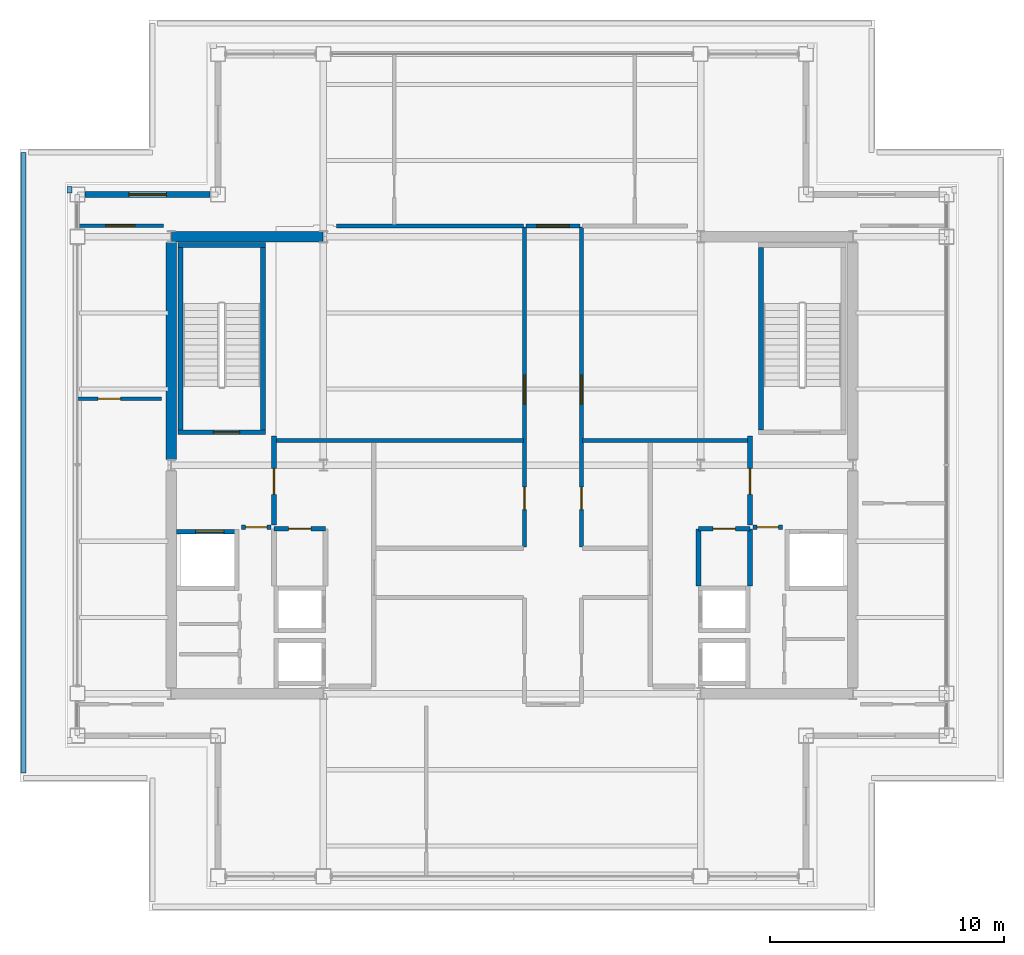
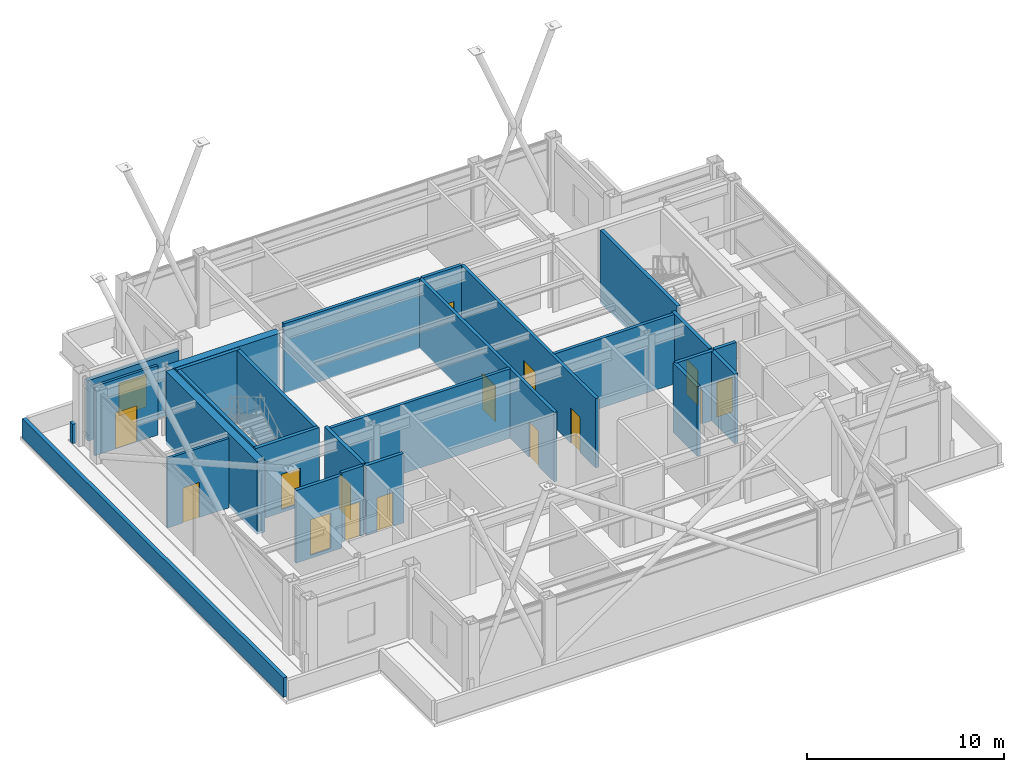
# One storey, part 16 of 19: 27 walls, 15 doors, 1 window, 16 openings.
"""IFC4 building model written with IfcOpenShell, lengths in metres."""

from ifc_helpers import new_model, si_unit, direction, frame, frame_2d, origin, place, context, subcontext, project, spatial, rectangle, extrude, material, layer, layer_set, type_object, element, fill, save


model = new_model("IFC4")

# Units and contexts
model_context = context("Model", 3, precision=1e-05, world=origin(), true_north=direction((0.0, 1.0)))
body_context = subcontext(model_context, "Body", "Model", "MODEL_VIEW")
ifc_project = project(units=[si_unit("LENGTHUNIT", "METRE"), si_unit("AREAUNIT", "SQUARE_METRE"), si_unit("VOLUMEUNIT", "CUBIC_METRE"), si_unit("PLANEANGLEUNIT", "RADIAN"), si_unit("MASSUNIT", "GRAM", prefix="KILO")], contexts=[model_context])

# Site, building, storey
site_placement = place(None, origin())
site = spatial("IfcSite", under=ifc_project, at=site_placement, CompositionType="ELEMENT")
building_placement = place(site_placement, origin())
building = spatial("IfcBuilding", under=site, at=building_placement, Name="Brelmoor Portico Tower", CompositionType="ELEMENT")
storey_placement = place(building_placement, frame((0.0, 0.0, 213.89990234375)))
storey = spatial("IfcBuildingStorey", under=building, at=storey_placement, Name="L56", CompositionType="ELEMENT", Elevation=213.89990234375)

# Walls
ifc_material_1 = material(Name="Concrete C50", Category="concrete")
ifc_layer_1 = layer(ifc_material_1, 0.449951171875)
ifc_layer_set_1 = layer_set([ifc_layer_1], Name="Concrete C50")
wall_type_1 = type_object("IfcWallType", Name="WL-CORE-450", PredefinedType="SHEAR", material=ifc_layer_set_1)
wall_1_placement = place(storey_placement, frame((-14.530029296875, 9.75, -0.199951171875), z_axis=(0.0, 0.0, 1.0), x_axis=(1.0, 0.0, 0.0)))
element("IfcWall", 1, at=wall_1_placement, inside=storey, type_object=wall_type_1, Name="L56 WC North Shear Wall", PredefinedType="SHEAR", context=body_context, shape_type="SweptSolid", body=[
    extrude(rectangle(XDim=6.4599609375, YDim=0.449951171875, at=frame_2d((3.22998046875, 0.0))), origin(), (0.0, 0.0, 1.0), 4.5),
])
wall_2_placement = place(storey_placement, frame((-14.550048828125, 0.25, -0.199951171875), z_axis=(0.0, 0.0, 1.0), x_axis=(0.0, 1.0, 0.0)))
element("IfcWall", 2, at=wall_2_placement, inside=storey, type_object=wall_type_1, Name="L56 WC Outer North Shear Wall", PredefinedType="SHEAR", context=body_context, shape_type="SweptSolid", body=[
    extrude(rectangle(XDim=9.25, YDim=0.449951171875, at=frame_2d((4.625, 0.0))), origin(), (0.0, 0.0, 1.0), 4.5),
])

# Wall, opening, window
ifc_material_2 = material(Name="Precast Concrete C40 Insulated Facade Wall", Category="concrete")
ifc_layer_2 = layer(ifc_material_2, 0.25)
ifc_layer_set_2 = layer_set([ifc_layer_2], Name="Precast Concrete C40 Insulated Facade Wall")
wall_type_2 = type_object("IfcWallType", Name="WL-EXT-250", PredefinedType="STANDARD", material=ifc_layer_set_2)
wall_3_placement = place(storey_placement, frame((-18.215087890625, 11.550048828125, 0.0), z_axis=(0.0, 0.0, 1.0), x_axis=(1.0, 0.0, 0.0)))
wall_3 = element("IfcWall", 3, at=wall_3_placement, inside=storey, type_object=wall_type_2, Name="L56 Corner Notch Facade Wall NNWH1", PredefinedType="STANDARD", context=body_context, shape_type="SweptSolid", body=[
    extrude(rectangle(XDim=5.330078125, YDim=0.25, at=frame_2d((2.6650390625, 0.0))), origin(), (0.0, 0.0, 1.0), 3.75),
])
opening_1_placement = place(wall_3_placement, frame((1.864990234375, 0.0, 0.85009765625)))
opening_1 = element("IfcOpeningElement", 4, at=opening_1_placement, cuts=wall_3, Name="Opening W-01", PredefinedType="OPENING", context=body_context, shape_type="SweptSolid", body=[
    extrude(rectangle(XDim=1.60009765625, YDim=2.0, at=frame_2d((0.800048828125, 1.0))), frame((0.0, 0.135009765625, 0.0), z_axis=(0.0, -1.0, 0.0), x_axis=(1.0, 0.0, 0.0)), (0.0, 0.0, 1.0), 0.27001953125),
])
ifc_material_3 = material(Name="Thermally Broken Aluminium Low-E Window", Category="aluminium")
window_type = type_object("IfcWindowType", Name="WN-NOTCH-1600x2000", PartitioningType="SINGLE_PANEL", PredefinedType="WINDOW", material=ifc_material_3)
window_placement = place(opening_1_placement, origin())
window = element("IfcWindow", 5, at=window_placement, inside=storey, type_object=window_type, Name="L56 Corner Notch Window NNWH1", OverallHeight=2.0, OverallWidth=1.60009765625, PartitioningType="SINGLE_PANEL", PredefinedType="WINDOW", context=body_context, shape_type="SweptSolid", body=[
    extrude(rectangle(XDim=1.60009765625, YDim=2.0, at=frame_2d((0.800048828125, 1.0))), frame((0.0, 0.030029296875, 0.0), z_axis=(0.0, -1.0, 0.0), x_axis=(1.0, 0.0, 0.0)), (0.0, 0.0, 1.0), 0.06005859375),
])
fill(opening_1, window)

# Walls
ifc_material_4 = material(Name="Concrete C40 Parapet Upstand", Category="concrete")
ifc_layer_3 = layer(ifc_material_4, 0.219970703125)
ifc_layer_set_3 = layer_set([ifc_layer_3], Name="Concrete C40 Parapet Upstand")
wall_type_3 = type_object("IfcWallType", Name="WL-PARAPET-220", PredefinedType="PARAPET", material=ifc_layer_set_3)
wall_4_placement = place(storey_placement, frame((-18.889892578125, 11.6201171875, 0.0), z_axis=(0.0, 0.0, 1.0), x_axis=(0.0, 1.0, 0.0)))
element("IfcWall", 6, at=wall_4_placement, inside=storey, type_object=wall_type_3, Name="L56 Chamfer Vertex Parapet Pier NW2", PredefinedType="PARAPET", context=body_context, shape_type="SweptSolid", body=[
    extrude(rectangle(XDim=0.269775390625, YDim=0.219970703125, at=frame_2d((0.134765625, 0.0))), origin(), (0.0, 0.0, 1.0), 1.2001953125),
])
wall_5_placement = place(storey_placement, frame((-20.85009765625, 13.35009765625, 0.0), z_axis=(0.0, 0.0, 1.0), x_axis=(0.0, -1.0, 0.0)))
element("IfcWall", 7, at=wall_5_placement, inside=storey, type_object=wall_type_3, Name="L56 Roof Parapet Wall 10", PredefinedType="PARAPET", context=body_context, shape_type="SweptSolid", body=[
    extrude(rectangle(XDim=26.47998046875, YDim=0.219970703125, at=frame_2d((13.239990234375, 0.0))), origin(), (0.0, 0.0, 1.0), 1.2001953125),
])

# Wall, opening, door
ifc_material_5 = material(Name="Wet-Area Moisture-Resistant Partition", Category="gypsum")
ifc_layer_4 = layer(ifc_material_5, 0.14990234375)
ifc_layer_set_4 = layer_set([ifc_layer_4], Name="Wet-Area Moisture-Resistant Partition")
wall_type_4 = type_object("IfcWallType", Name="WL-PART-150", PredefinedType="PARTITIONING", material=ifc_layer_set_4)
wall_6_placement = place(storey_placement, frame((-18.56005859375, 10.2099609375, 0.0), z_axis=(0.0, 0.0, 1.0), x_axis=(1.0, 0.0, 0.0)))
wall_6 = element("IfcWall", 8, at=wall_6_placement, inside=storey, type_object=wall_type_4, Name="L56 North Wing Suite Wall WL", PredefinedType="PARTITIONING", context=body_context, shape_type="SweptSolid", body=[
    extrude(rectangle(XDim=3.68017578125, YDim=0.14990234375, at=frame_2d((1.840087890625, 0.0))), origin(), (0.0, 0.0, 1.0), 4.300048828125),
])
opening_2_placement = place(wall_6_placement, frame((1.219970703125, 0.0, 0.0)))
opening_2 = element("IfcOpeningElement", 9, at=opening_2_placement, cuts=wall_6, Name="Opening D-SU1", PredefinedType="OPENING", context=body_context, shape_type="SweptSolid", body=[
    extrude(rectangle(XDim=1.239990234375, YDim=2.239990234375, at=frame_2d((0.6201171875, 1.1201171875))), frame((0.0, 0.0849609375, 0.0), z_axis=(0.0, -1.0, 0.0), x_axis=(1.0, 0.0, 0.0)), (0.0, 0.0, 1.0), 0.169921875),
])
ifc_material_6 = material(Name="Glazed Timber Executive Suite Door", Category="wood")
door_type_1 = type_object("IfcDoorType", Name="DR-SUITE-1200", OperationType="NOTDEFINED", PredefinedType="DOOR", material=ifc_material_6)
door_1_placement = place(opening_2_placement, origin())
door_1 = element("IfcDoor", 10, at=door_1_placement, inside=storey, type_object=door_type_1, Name="D-2349 L56 WL Wing Suite Connecting Door", OperationType="SINGLE_SWING_LEFT", OverallHeight=2.239990234375, OverallWidth=1.239990234375, PredefinedType="DOOR", context=body_context, shape_type="SweptSolid", body=[
    extrude(rectangle(XDim=1.239990234375, YDim=2.239990234375, at=frame_2d((0.6201171875, 1.1201171875))), frame((0.0, 0.02490234375, 0.0), z_axis=(0.0, -1.0, 0.0), x_axis=(1.0, 0.0, 0.0)), (0.0, 0.0, 1.0), 0.050048828125),
])
fill(opening_2, door_1)

wall_7_placement = place(storey_placement, frame((-18.56005859375, 2.83642578125, 0.0), z_axis=(0.0, 0.0, 1.0), x_axis=(1.0, 0.0, 0.0)))
wall_7 = element("IfcWall", 11, at=wall_7_placement, inside=storey, type_object=wall_type_4, Name="L56 W Wing Partition 1", PredefinedType="PARTITIONING", context=body_context, shape_type="SweptSolid", body=[
    extrude(rectangle(XDim=3.60009765625, YDim=0.14990234375, at=frame_2d((1.800048828125, 0.0))), origin(), (0.0, 0.0, 1.0), 4.300048828125),
])
opening_3_placement = place(wall_7_placement, frame((0.89990234375, 0.0, 0.0)))
opening_3 = element("IfcOpeningElement", 12, at=opening_3_placement, cuts=wall_7, Name="Opening D-IN2", PredefinedType="OPENING", context=body_context, shape_type="SweptSolid", body=[
    extrude(rectangle(XDim=0.9599609375, YDim=2.179931640625, at=frame_2d((0.47998046875, 1.08984375))), frame((0.0, 0.0849609375, 0.0), z_axis=(0.0, -1.0, 0.0), x_axis=(1.0, 0.0, 0.0)), (0.0, 0.0, 1.0), 0.169921875),
])
ifc_material_7 = material(Name="Lacquered Timber Suite Door", Category="wood")
door_type_2 = type_object("IfcDoorType", Name="DR-INT-950", OperationType="NOTDEFINED", PredefinedType="DOOR", material=ifc_material_7)
door_2_placement = place(opening_3_placement, origin())
door_2 = element("IfcDoor", 13, at=door_2_placement, inside=storey, type_object=door_type_2, Name="D-2357 L56 W Wing Suite Connecting Door 1", OperationType="SINGLE_SWING_LEFT", OverallHeight=2.179931640625, OverallWidth=0.9599609375, PredefinedType="DOOR", context=body_context, shape_type="SweptSolid", body=[
    extrude(rectangle(XDim=0.9599609375, YDim=2.179931640625, at=frame_2d((0.47998046875, 1.08984375))), frame((0.0, 0.02490234375, 0.0), z_axis=(0.0, -1.0, 0.0), x_axis=(1.0, 0.0, 0.0)), (0.0, 0.0, 1.0), 0.050048828125),
])
fill(opening_3, door_2)

# Wall
ifc_material_8 = material(Name="Acoustic Corridor Fire Partition", Category="gypsum")
ifc_layer_5 = layer(ifc_material_8, 0.179931640625)
ifc_layer_set_5 = layer_set([ifc_layer_5], Name="Acoustic Corridor Fire Partition")
wall_type_5 = type_object("IfcWallType", Name="WL-PART-180", PredefinedType="PARTITIONING", material=ifc_layer_set_5)
wall_8_placement = place(storey_placement, frame((-10.050048828125, 1.050048828125, 0.0), z_axis=(0.0, 0.0, 1.0), x_axis=(1.0, 0.0, 0.0)))
element("IfcWall", 14, at=wall_8_placement, inside=storey, type_object=wall_type_5, Name="L56 West Reclaimed Suite South Wall", PredefinedType="PARTITIONING", context=body_context, shape_type="SweptSolid", body=[
    extrude(rectangle(XDim=10.5400390625, YDim=0.179931640625, at=frame_2d((5.27001953125, 0.0))), origin(), (0.0, 0.0, 1.0), 4.300048828125),
])

# Wall, openings, doors
wall_9_placement = place(storey_placement, frame((0.530029296875, -3.5, 0.0), z_axis=(0.0, 0.0, 1.0), x_axis=(0.0, 1.0, 0.0)))
wall_9 = element("IfcWall", 15, at=wall_9_placement, inside=storey, type_object=wall_type_5, Name="L56 Central Cross West Wall", PredefinedType="PARTITIONING", context=body_context, shape_type="SweptSolid", body=[
    extrude(rectangle(XDim=13.669921875, YDim=0.179931640625, at=frame_2d((6.8349609375, 0.0))), origin(), (0.0, 0.0, 1.0), 4.300048828125),
])
opening_4_placement = place(wall_9_placement, frame((6.10009765625, 0.0, 0.0)))
opening_4 = element("IfcOpeningElement", 16, at=opening_4_placement, cuts=wall_9, Name="Opening D-SU1", PredefinedType="OPENING", context=body_context, shape_type="SweptSolid", body=[
    extrude(rectangle(XDim=1.239990234375, YDim=2.239990234375, at=frame_2d((0.6201171875, 1.1201171875))), frame((0.0, 0.099853515625, 0.0), z_axis=(0.0, -1.0, 0.0), x_axis=(1.0, 0.0, 0.0)), (0.0, 0.0, 1.0), 0.199951171875),
])
opening_5_placement = place(wall_9_placement, frame((1.60009765625, 0.0, 0.0)))
opening_5 = element("IfcOpeningElement", 17, at=opening_5_placement, cuts=wall_9, Name="Opening D-IN2", PredefinedType="OPENING", context=body_context, shape_type="SweptSolid", body=[
    extrude(rectangle(XDim=0.9599609375, YDim=2.179931640625, at=frame_2d((0.47998046875, 1.08984375))), frame((0.0, 0.099853515625, 0.0), z_axis=(0.0, -1.0, 0.0), x_axis=(1.0, 0.0, 0.0)), (0.0, 0.0, 1.0), 0.199951171875),
])
door_3_placement = place(opening_5_placement, origin())
door_3 = element("IfcDoor", 18, at=door_3_placement, inside=storey, type_object=door_type_2, Name="D-2330 L56 Staff Pantry Door", OperationType="SINGLE_SWING_RIGHT", OverallHeight=2.179931640625, OverallWidth=0.9599609375, PredefinedType="DOOR", context=body_context, shape_type="SweptSolid", body=[
    extrude(rectangle(XDim=0.9599609375, YDim=2.179931640625, at=frame_2d((0.47998046875, 1.08984375))), frame((0.0, 0.02490234375, 0.0), z_axis=(0.0, -1.0, 0.0), x_axis=(1.0, 0.0, 0.0)), (0.0, 0.0, 1.0), 0.050048828125),
])
fill(opening_5, door_3)
door_4_placement = place(opening_4_placement, origin())
door_4 = element("IfcDoor", 19, at=door_4_placement, inside=storey, type_object=door_type_1, Name="D-2331 L56 West Reclaimed Studio Door", OperationType="SINGLE_SWING_LEFT", OverallHeight=2.239990234375, OverallWidth=1.239990234375, PredefinedType="DOOR", context=body_context, shape_type="SweptSolid", body=[
    extrude(rectangle(XDim=1.239990234375, YDim=2.239990234375, at=frame_2d((0.6201171875, 1.1201171875))), frame((0.0, 0.02490234375, 0.0), z_axis=(0.0, -1.0, 0.0), x_axis=(1.0, 0.0, 0.0)), (0.0, 0.0, 1.0), 0.050048828125),
])
fill(opening_4, door_4)

# Walls
wall_10_placement = place(storey_placement, frame((-7.5, 10.2099609375, 0.0), z_axis=(0.0, 0.0, 1.0), x_axis=(1.0, 0.0, 0.0)))
element("IfcWall", 20, at=wall_10_placement, inside=storey, type_object=wall_type_5, Name="L56 West Reclaimed Suite North Wall", PredefinedType="PARTITIONING", context=body_context, shape_type="SweptSolid", body=[
    extrude(rectangle(XDim=7.989990234375, YDim=0.179931640625, at=frame_2d((3.9951171875, 0.0))), origin(), (0.0, 0.0, 1.0), 4.300048828125),
])
wall_11_placement = place(storey_placement, frame((3.010009765625, 1.050048828125, 0.0), z_axis=(0.0, 0.0, 1.0), x_axis=(1.0, 0.0, 0.0)))
element("IfcWall", 21, at=wall_11_placement, inside=storey, type_object=wall_type_5, Name="L56 East Suite South Wall", PredefinedType="PARTITIONING", context=body_context, shape_type="SweptSolid", body=[
    extrude(rectangle(XDim=7.050048828125, YDim=0.179931640625, at=frame_2d((3.52490234375, 0.0))), origin(), (0.0, 0.0, 1.0), 4.300048828125),
])

# Wall, openings, doors
wall_12_placement = place(storey_placement, frame((2.969970703125, -3.5, 0.0), z_axis=(0.0, 0.0, 1.0), x_axis=(0.0, 1.0, 0.0)))
wall_12 = element("IfcWall", 22, at=wall_12_placement, inside=storey, type_object=wall_type_5, Name="L56 Central Cross East Wall", PredefinedType="PARTITIONING", context=body_context, shape_type="SweptSolid", body=[
    extrude(rectangle(XDim=13.669921875, YDim=0.179931640625, at=frame_2d((6.8349609375, 0.0))), origin(), (0.0, 0.0, 1.0), 4.300048828125),
])
opening_6_placement = place(wall_12_placement, frame((6.10009765625, 0.0, 0.0)))
opening_6 = element("IfcOpeningElement", 23, at=opening_6_placement, cuts=wall_12, Name="Opening D-SU1", PredefinedType="OPENING", context=body_context, shape_type="SweptSolid", body=[
    extrude(rectangle(XDim=1.239990234375, YDim=2.239990234375, at=frame_2d((0.6201171875, 1.1201171875))), frame((0.0, 0.099853515625, 0.0), z_axis=(0.0, -1.0, 0.0), x_axis=(1.0, 0.0, 0.0)), (0.0, 0.0, 1.0), 0.199951171875),
])
opening_7_placement = place(wall_12_placement, frame((1.60009765625, 0.0, 0.0)))
opening_7 = element("IfcOpeningElement", 24, at=opening_7_placement, cuts=wall_12, Name="Opening D-IN2", PredefinedType="OPENING", context=body_context, shape_type="SweptSolid", body=[
    extrude(rectangle(XDim=0.9599609375, YDim=2.179931640625, at=frame_2d((0.47998046875, 1.08984375))), frame((0.0, 0.099853515625, 0.0), z_axis=(0.0, -1.0, 0.0), x_axis=(1.0, 0.0, 0.0)), (0.0, 0.0, 1.0), 0.199951171875),
])
door_5_placement = place(opening_7_placement, origin())
door_5 = element("IfcDoor", 25, at=door_5_placement, inside=storey, type_object=door_type_2, Name="D-2326 L56 Client Project Office Door", OperationType="SINGLE_SWING_RIGHT", OverallHeight=2.179931640625, OverallWidth=0.9599609375, PredefinedType="DOOR", context=body_context, shape_type="SweptSolid", body=[
    extrude(rectangle(XDim=0.9599609375, YDim=2.179931640625, at=frame_2d((0.47998046875, 1.08984375))), frame((0.0, 0.02490234375, 0.0), z_axis=(0.0, -1.0, 0.0), x_axis=(1.0, 0.0, 0.0)), (0.0, 0.0, 1.0), 0.050048828125),
])
fill(opening_7, door_5)
door_6_placement = place(opening_6_placement, origin())
door_6 = element("IfcDoor", 26, at=door_6_placement, inside=storey, type_object=door_type_1, Name="D-2327 L56 East Reclaimed Studio Door", OperationType="SINGLE_SWING_LEFT", OverallHeight=2.239990234375, OverallWidth=1.239990234375, PredefinedType="DOOR", context=body_context, shape_type="SweptSolid", body=[
    extrude(rectangle(XDim=1.239990234375, YDim=2.239990234375, at=frame_2d((0.6201171875, 1.1201171875))), frame((0.0, 0.02490234375, 0.0), z_axis=(0.0, -1.0, 0.0), x_axis=(1.0, 0.0, 0.0)), (0.0, 0.0, 1.0), 0.050048828125),
])
fill(opening_6, door_6)

# Wall, opening, door
wall_13_placement = place(storey_placement, frame((0.60009765625, 10.2099609375, 0.0), z_axis=(0.0, 0.0, 1.0), x_axis=(1.0, 0.0, 0.0)))
wall_13 = element("IfcWall", 27, at=wall_13_placement, inside=storey, type_object=wall_type_5, Name="L56 North Corridor Partition", PredefinedType="PARTITIONING", context=body_context, shape_type="SweptSolid", body=[
    extrude(rectangle(XDim=2.2998046875, YDim=0.179931640625, at=frame_2d((1.14990234375, 0.0))), origin(), (0.0, 0.0, 1.0), 4.300048828125),
])
opening_8_placement = place(wall_13_placement, frame((0.449951171875, 0.0, 0.0)))
opening_8 = element("IfcOpeningElement", 28, at=opening_8_placement, cuts=wall_13, Name="Opening D-SU2", PredefinedType="OPENING", context=body_context, shape_type="SweptSolid", body=[
    extrude(rectangle(XDim=1.39990234375, YDim=2.199951171875, at=frame_2d((0.699951171875, 1.10009765625))), frame((0.0, 0.099853515625, 0.0), z_axis=(0.0, -1.0, 0.0), x_axis=(1.0, 0.0, 0.0)), (0.0, 0.0, 1.0), 0.199951171875),
])
ifc_material_9 = material(Name="Double-Leaf Acoustic Suite Door", Category="timber")
door_type_3 = type_object("IfcDoorType", Name="DR-SUITE-1400", OperationType="NOTDEFINED", PredefinedType="DOOR", material=ifc_material_9)
door_7_placement = place(opening_8_placement, origin())
door_7 = element("IfcDoor", 29, at=door_7_placement, inside=storey, type_object=door_type_3, Name="D-2345 L56 North First-Aid Consultation 2 Door", OperationType="DOUBLE_DOOR_SINGLE_SWING", OverallHeight=2.199951171875, OverallWidth=1.39990234375, PredefinedType="DOOR", context=body_context, shape_type="SweptSolid", body=[
    extrude(rectangle(XDim=1.39990234375, YDim=2.199951171875, at=frame_2d((0.699951171875, 1.10009765625))), frame((0.0, 0.02490234375, 0.0), z_axis=(0.0, -1.0, 0.0), x_axis=(1.0, 0.0, 0.0)), (0.0, 0.0, 1.0), 0.050048828125),
])
fill(opening_8, door_7)

ifc_material_10 = material(Name="Double-Stud Gypsum Fire Partition", Category="gypsum")
ifc_layer_6 = layer(ifc_material_10, 0.199951171875)
ifc_layer_set_6 = layer_set([ifc_layer_6], Name="Double-Stud Gypsum Fire Partition")
wall_type_6 = type_object("IfcWallType", Name="WL-PART-200", PredefinedType="PARTITIONING", material=ifc_layer_set_6)
wall_14_placement = place(storey_placement, frame((-10.159912109375, -2.550048828125, 0.0), z_axis=(0.0, 0.0, 1.0), x_axis=(0.0, 1.0, 0.0)))
wall_14 = element("IfcWall", 30, at=wall_14_placement, inside=storey, type_object=wall_type_6, Name="L56 W Firefighting Lobby Wall", PredefinedType="PARTITIONING", context=body_context, shape_type="SweptSolid", body=[
    extrude(rectangle(XDim=3.800048828125, YDim=0.199951171875, at=frame_2d((1.89990234375, 0.0))), origin(), (0.0, 0.0, 1.0), 4.300048828125),
])
opening_9_placement = place(wall_14_placement, frame((1.300048828125, 0.0, 0.0)))
opening_9 = element("IfcOpeningElement", 31, at=opening_9_placement, cuts=wall_14, Name="Opening D-FR1", PredefinedType="OPENING", context=body_context, shape_type="SweptSolid", body=[
    extrude(rectangle(XDim=1.10009765625, YDim=2.14990234375, at=frame_2d((0.550048828125, 1.074951171875))), frame((0.0, 0.10986328125, 0.0), z_axis=(0.0, -1.0, 0.0), x_axis=(1.0, 0.0, 0.0)), (0.0, 0.0, 1.0), 0.219970703125),
])
ifc_material_11 = material(Name="Painted Galvanised Steel Fire Door", Category="steel")
door_type_4 = type_object("IfcDoorType", Name="DR-FIRE-1100", OperationType="NOTDEFINED", PredefinedType="DOOR", material=ifc_material_11)
door_8_placement = place(opening_9_placement, origin())
door_8 = element("IfcDoor", 32, at=door_8_placement, inside=storey, type_object=door_type_4, Name="D-2342 L56 W Firefighting Lobby Door", OperationType="SINGLE_SWING_RIGHT", OverallHeight=2.14990234375, OverallWidth=1.10009765625, PredefinedType="DOOR", context=body_context, shape_type="SweptSolid", body=[
    extrude(rectangle(XDim=1.10009765625, YDim=2.14990234375, at=frame_2d((0.550048828125, 1.074951171875))), frame((0.0, 0.02490234375, 0.0), z_axis=(0.0, -1.0, 0.0), x_axis=(1.0, 0.0, 0.0)), (0.0, 0.0, 1.0), 0.050048828125),
])
fill(opening_9, door_8)

wall_15_placement = place(storey_placement, frame((-10.280029296875, -2.64990234375, 0.0), z_axis=(0.0, 0.0, 1.0), x_axis=(-1.0, 0.0, 0.0)))
wall_15 = element("IfcWall", 33, at=wall_15_placement, inside=storey, type_object=wall_type_6, Name="L56 W Firefighting Lobby South Wall", PredefinedType="PARTITIONING", context=body_context, shape_type="SweptSolid", body=[
    extrude(rectangle(XDim=1.27001953125, YDim=0.199951171875, at=frame_2d((0.635009765625, 0.0))), origin(), (0.0, 0.0, 1.0), 4.300048828125),
])
opening_10_placement = place(wall_15_placement, frame((0.18505859375, 0.0, 0.0)))
opening_10 = element("IfcOpeningElement", 34, at=opening_10_placement, cuts=wall_15, Name="Opening D-IN1", PredefinedType="OPENING", context=body_context, shape_type="SweptSolid", body=[
    extrude(rectangle(XDim=0.89990234375, YDim=2.14990234375, at=frame_2d((0.449951171875, 1.074951171875))), frame((0.0, 0.10986328125, 0.0), z_axis=(0.0, -1.0, 0.0), x_axis=(1.0, 0.0, 0.0)), (0.0, 0.0, 1.0), 0.219970703125),
])
door_type_5 = type_object("IfcDoorType", Name="DR-INT-900", OperationType="NOTDEFINED", PredefinedType="DOOR", material=ifc_material_7)
door_9_placement = place(opening_10_placement, origin())
door_9 = element("IfcDoor", 35, at=door_9_placement, inside=storey, type_object=door_type_5, Name="D-2335 L56 W Core Service Vestibule Door", OperationType="SINGLE_SWING_LEFT", OverallHeight=2.14990234375, OverallWidth=0.89990234375, PredefinedType="DOOR", context=body_context, shape_type="SweptSolid", body=[
    extrude(rectangle(XDim=0.89990234375, YDim=2.14990234375, at=frame_2d((0.449951171875, 1.074951171875))), frame((0.0, 0.02490234375, 0.0), z_axis=(0.0, -1.0, 0.0), x_axis=(1.0, 0.0, 0.0)), (0.0, 0.0, 1.0), 0.050048828125),
])
fill(opening_10, door_9)

wall_16_placement = place(storey_placement, frame((-7.9599609375, -2.719970703125, 0.0), z_axis=(0.0, 0.0, 1.0), x_axis=(-1.0, 0.0, 0.0)))
wall_16 = element("IfcWall", 36, at=wall_16_placement, inside=storey, type_object=wall_type_6, Name="L56 W Electrical Switchgear Closet Wall", PredefinedType="PARTITIONING", context=body_context, shape_type="SweptSolid", body=[
    extrude(rectangle(XDim=2.199951171875, YDim=0.199951171875, at=frame_2d((1.10009765625, 0.0))), origin(), (0.0, 0.0, 1.0), 4.300048828125),
])
opening_11_placement = place(wall_16_placement, frame((0.6201171875, 0.0, 0.0)))
opening_11 = element("IfcOpeningElement", 37, at=opening_11_placement, cuts=wall_16, Name="Opening D-FR4", PredefinedType="OPENING", context=body_context, shape_type="SweptSolid", body=[
    extrude(rectangle(XDim=0.949951171875, YDim=2.10009765625, at=frame_2d((0.47509765625, 1.050048828125))), frame((0.0, 0.10986328125, 0.0), z_axis=(0.0, -1.0, 0.0), x_axis=(1.0, 0.0, 0.0)), (0.0, 0.0, 1.0), 0.219970703125),
])
ifc_material_12 = material(Name="Painted Galvanised Steel Riser Door", Category="steel")
door_type_6 = type_object("IfcDoorType", Name="DR-FIRE-950", OperationType="NOTDEFINED", PredefinedType="DOOR", material=ifc_material_12)
door_10_placement = place(opening_11_placement, origin())
door_10 = element("IfcDoor", 38, at=door_10_placement, inside=storey, type_object=door_type_6, Name="D-2340 L56 W Electrical Switchgear Closet Door", OperationType="SINGLE_SWING_RIGHT", OverallHeight=2.10009765625, OverallWidth=0.949951171875, PredefinedType="DOOR", context=body_context, shape_type="SweptSolid", body=[
    extrude(rectangle(XDim=0.949951171875, YDim=2.10009765625, at=frame_2d((0.47509765625, 1.050048828125))), frame((0.0, 0.02490234375, 0.0), z_axis=(0.0, -1.0, 0.0), x_axis=(1.0, 0.0, 0.0)), (0.0, 0.0, 1.0), 0.050048828125),
])
fill(opening_11, door_10)

wall_17_placement = place(storey_placement, frame((10.159912109375, -2.550048828125, 0.0), z_axis=(0.0, 0.0, 1.0), x_axis=(0.0, 1.0, 0.0)))
wall_17 = element("IfcWall", 39, at=wall_17_placement, inside=storey, type_object=wall_type_6, Name="L56 E Firefighting Lobby Wall", PredefinedType="PARTITIONING", context=body_context, shape_type="SweptSolid", body=[
    extrude(rectangle(XDim=3.800048828125, YDim=0.199951171875, at=frame_2d((1.89990234375, 0.0))), origin(), (0.0, 0.0, 1.0), 4.300048828125),
])
opening_12_placement = place(wall_17_placement, frame((1.300048828125, 0.0, 0.0)))
opening_12 = element("IfcOpeningElement", 40, at=opening_12_placement, cuts=wall_17, Name="Opening D-FR1", PredefinedType="OPENING", context=body_context, shape_type="SweptSolid", body=[
    extrude(rectangle(XDim=1.10009765625, YDim=2.14990234375, at=frame_2d((0.550048828125, 1.074951171875))), frame((0.0, 0.10986328125, 0.0), z_axis=(0.0, -1.0, 0.0), x_axis=(1.0, 0.0, 0.0)), (0.0, 0.0, 1.0), 0.219970703125),
])
door_11_placement = place(opening_12_placement, origin())
door_11 = element("IfcDoor", 41, at=door_11_placement, inside=storey, type_object=door_type_4, Name="D-2341 L56 E Firefighting Lobby Door", OperationType="SINGLE_SWING_RIGHT", OverallHeight=2.14990234375, OverallWidth=1.10009765625, PredefinedType="DOOR", context=body_context, shape_type="SweptSolid", body=[
    extrude(rectangle(XDim=1.10009765625, YDim=2.14990234375, at=frame_2d((0.550048828125, 1.074951171875))), frame((0.0, 0.02490234375, 0.0), z_axis=(0.0, -1.0, 0.0), x_axis=(1.0, 0.0, 0.0)), (0.0, 0.0, 1.0), 0.050048828125),
])
fill(opening_12, door_11)

wall_18_placement = place(storey_placement, frame((10.280029296875, -2.64990234375, 0.0), z_axis=(0.0, 0.0, 1.0), x_axis=(1.0, 0.0, 0.0)))
wall_18 = element("IfcWall", 42, at=wall_18_placement, inside=storey, type_object=wall_type_6, Name="L56 E Firefighting Lobby South Wall", PredefinedType="PARTITIONING", context=body_context, shape_type="SweptSolid", body=[
    extrude(rectangle(XDim=1.27001953125, YDim=0.199951171875, at=frame_2d((0.635009765625, 0.0))), origin(), (0.0, 0.0, 1.0), 4.300048828125),
])
opening_13_placement = place(wall_18_placement, frame((0.18505859375, 0.0, 0.0)))
opening_13 = element("IfcOpeningElement", 43, at=opening_13_placement, cuts=wall_18, Name="Opening D-IN1", PredefinedType="OPENING", context=body_context, shape_type="SweptSolid", body=[
    extrude(rectangle(XDim=0.89990234375, YDim=2.14990234375, at=frame_2d((0.449951171875, 1.074951171875))), frame((0.0, 0.10986328125, 0.0), z_axis=(0.0, -1.0, 0.0), x_axis=(1.0, 0.0, 0.0)), (0.0, 0.0, 1.0), 0.219970703125),
])
door_12_placement = place(opening_13_placement, origin())
door_12 = element("IfcDoor", 44, at=door_12_placement, inside=storey, type_object=door_type_5, Name="D-2334 L56 E Core Service Vestibule Door", OperationType="SINGLE_SWING_LEFT", OverallHeight=2.14990234375, OverallWidth=0.89990234375, PredefinedType="DOOR", context=body_context, shape_type="SweptSolid", body=[
    extrude(rectangle(XDim=0.89990234375, YDim=2.14990234375, at=frame_2d((0.449951171875, 1.074951171875))), frame((0.0, 0.02490234375, 0.0), z_axis=(0.0, -1.0, 0.0), x_axis=(1.0, 0.0, 0.0)), (0.0, 0.0, 1.0), 0.050048828125),
])
fill(opening_13, door_12)

wall_19_placement = place(storey_placement, frame((7.9599609375, -2.719970703125, 0.0), z_axis=(0.0, 0.0, 1.0), x_axis=(1.0, 0.0, 0.0)))
wall_19 = element("IfcWall", 45, at=wall_19_placement, inside=storey, type_object=wall_type_6, Name="L56 E Electrical Switchgear Closet Wall", PredefinedType="PARTITIONING", context=body_context, shape_type="SweptSolid", body=[
    extrude(rectangle(XDim=2.199951171875, YDim=0.199951171875, at=frame_2d((1.10009765625, 0.0))), origin(), (0.0, 0.0, 1.0), 4.300048828125),
])
opening_14_placement = place(wall_19_placement, frame((0.6201171875, 0.0, 0.0)))
opening_14 = element("IfcOpeningElement", 46, at=opening_14_placement, cuts=wall_19, Name="Opening D-FR4", PredefinedType="OPENING", context=body_context, shape_type="SweptSolid", body=[
    extrude(rectangle(XDim=0.949951171875, YDim=2.10009765625, at=frame_2d((0.47509765625, 1.050048828125))), frame((0.0, 0.10986328125, 0.0), z_axis=(0.0, -1.0, 0.0), x_axis=(1.0, 0.0, 0.0)), (0.0, 0.0, 1.0), 0.219970703125),
])
door_13_placement = place(opening_14_placement, origin())
door_13 = element("IfcDoor", 47, at=door_13_placement, inside=storey, type_object=door_type_6, Name="D-2339 L56 E Electrical Switchgear Closet Door", OperationType="SINGLE_SWING_RIGHT", OverallHeight=2.10009765625, OverallWidth=0.949951171875, PredefinedType="DOOR", context=body_context, shape_type="SweptSolid", body=[
    extrude(rectangle(XDim=0.949951171875, YDim=2.10009765625, at=frame_2d((0.47509765625, 1.050048828125))), frame((0.0, 0.02490234375, 0.0), z_axis=(0.0, -1.0, 0.0), x_axis=(1.0, 0.0, 0.0)), (0.0, 0.0, 1.0), 0.050048828125),
])
fill(opening_14, door_13)

# Walls
for number, where, z_axis, x_axis, name in (
    (48, (7.9599609375, -5.159912109375, 0.0), (0.0, 0.0, 1.0), (0.0, 1.0, 0.0), "L56 E Electrical Switchgear Closet Inner Wall"),
    (49, (10.159912109375, -5.159912109375, 0.0), (0.0, 0.0, 1.0), (0.0, 1.0, 0.0), "L56 E Electrical Switchgear Closet Outer Wall"),
):
    element("IfcWall", number, at=place(storey_placement, frame(where, z_axis=z_axis, x_axis=x_axis)), inside=storey, type_object=wall_type_6, Name=name, PredefinedType="PARTITIONING", context=body_context, shape_type="SweptSolid", body=[
        extrude(rectangle(XDim=2.43994140625, YDim=0.199951171875, at=frame_2d((1.219970703125, 0.0))), origin(), (0.0, 0.0, 1.0), 4.300048828125),
    ])

# Wall, opening, door
ifc_material_13 = material(Name="Precast Concrete C40", Category="concrete")
ifc_layer_7 = layer(ifc_material_13, 0.18994140625)
ifc_layer_set_7 = layer_set([ifc_layer_7], Name="Precast Concrete C40")
wall_type_7 = type_object("IfcWallType", Name="WL-SHAFT-180", PredefinedType="SOLIDWALL", material=ifc_layer_set_7)
wall_20_placement = place(storey_placement, frame((-14.330078125, -2.844970703125, -0.199951171875), z_axis=(0.0, 0.0, 1.0), x_axis=(1.0, 0.0, 0.0)))
wall_20 = element("IfcWall", 50, at=wall_20_placement, inside=storey, type_object=wall_type_7, Name="L56 Lift FF1 Hoistway Front Wall", PredefinedType="SOLIDWALL", context=body_context, shape_type="SweptSolid", body=[
    extrude(rectangle(XDim=2.68017578125, YDim=0.18994140625, at=frame_2d((1.340087890625, 0.0))), origin(), (0.0, 0.0, 1.0), 4.5),
])
opening_15_placement = place(wall_20_placement, frame((0.830078125, 0.0, 0.199951171875)))
opening_15 = element("IfcOpeningElement", 51, at=opening_15_placement, cuts=wall_20, Name="Opening LD-02", PredefinedType="OPENING", context=body_context, shape_type="SweptSolid", body=[
    extrude(rectangle(XDim=1.199951171875, YDim=2.199951171875, at=frame_2d((0.60009765625, 1.10009765625))), frame((0.0, 0.10498046875, 0.0), z_axis=(0.0, -1.0, 0.0), x_axis=(1.0, 0.0, 0.0)), (0.0, 0.0, 1.0), 0.2099609375),
])
ifc_material_14 = material(Name="Brushed Stainless Steel Firefighting Lift Door", Category="steel")
door_type_7 = type_object("IfcDoorType", Name="DR-LIFT-1200", OperationType="NOTDEFINED", PredefinedType="DOOR", material=ifc_material_14)
door_14_placement = place(opening_15_placement, origin())
door_14 = element("IfcDoor", 52, at=door_14_placement, inside=storey, type_object=door_type_7, Name="D-2358 L56 Lift FF1 Sliding Landing Door", OperationType="SLIDING_TO_LEFT", OverallHeight=2.199951171875, OverallWidth=1.199951171875, PredefinedType="DOOR", context=body_context, shape_type="SweptSolid", body=[
    extrude(rectangle(XDim=1.199951171875, YDim=2.199951171875, at=frame_2d((0.60009765625, 1.10009765625))), frame((0.0, 0.02490234375, 0.0), z_axis=(0.0, -1.0, 0.0), x_axis=(1.0, 0.0, 0.0)), (0.0, 0.0, 1.0), 0.050048828125),
])
fill(opening_15, door_14)

# Wall
ifc_material_15 = material(Name="Concrete C40", Category="concrete")
ifc_layer_8 = layer(ifc_material_15, 0.199951171875)
ifc_layer_set_8 = layer_set([ifc_layer_8], Name="Concrete C40")
wall_type_8 = type_object("IfcWallType", Name="WL-SHAFT-RC200", PredefinedType="SOLIDWALL", material=ifc_layer_set_8)
wall_21_placement = place(storey_placement, frame((-14.14990234375, 1.5, -0.199951171875), z_axis=(0.0, 0.0, 1.0), x_axis=(0.0, 1.0, 0.0)))
element("IfcWall", 53, at=wall_21_placement, inside=storey, type_object=wall_type_8, Name="L56 ST-W Structural Stair Wall Outer", PredefinedType="SOLIDWALL", context=body_context, shape_type="SweptSolid", body=[
    extrude(rectangle(XDim=7.800048828125, YDim=0.199951171875, at=frame_2d((3.89990234375, 0.0))), origin(), (0.0, 0.0, 1.0), 4.5),
])

# Wall, opening, door
wall_22_placement = place(storey_placement, frame((-14.25, 1.39990234375, -0.199951171875), z_axis=(0.0, 0.0, 1.0), x_axis=(1.0, 0.0, 0.0)))
wall_22 = element("IfcWall", 54, at=wall_22_placement, inside=storey, type_object=wall_type_8, Name="L56 ST-W Structural Stair Wall S", PredefinedType="SOLIDWALL", context=body_context, shape_type="SweptSolid", body=[
    extrude(rectangle(XDim=3.719970703125, YDim=0.199951171875, at=frame_2d((1.85986328125, 0.0))), origin(), (0.0, 0.0, 1.0), 4.5),
])
opening_16_placement = place(wall_22_placement, frame((1.5, 0.0, 0.199951171875)))
opening_16 = element("IfcOpeningElement", 55, at=opening_16_placement, cuts=wall_22, Name="Opening D-ST1", PredefinedType="OPENING", context=body_context, shape_type="SweptSolid", body=[
    extrude(rectangle(XDim=1.1201171875, YDim=2.179931640625, at=frame_2d((0.56005859375, 1.08984375))), frame((0.0, 0.10986328125, 0.0), z_axis=(0.0, -1.0, 0.0), x_axis=(1.0, 0.0, 0.0)), (0.0, 0.0, 1.0), 0.219970703125),
])
door_type_8 = type_object("IfcDoorType", Name="DR-STAIR-1100", OperationType="NOTDEFINED", PredefinedType="DOOR", material=ifc_material_11)
door_15_placement = place(opening_16_placement, origin())
door_15 = element("IfcDoor", 56, at=door_15_placement, inside=storey, type_object=door_type_8, Name="D-2353 L56 ST-W Protected Exit Stair Door", OperationType="SINGLE_SWING_LEFT", OverallHeight=2.179931640625, OverallWidth=1.1201171875, PredefinedType="DOOR", context=body_context, shape_type="SweptSolid", body=[
    extrude(rectangle(XDim=1.1201171875, YDim=2.179931640625, at=frame_2d((0.56005859375, 1.08984375))), frame((0.0, 0.02490234375, 0.0), z_axis=(0.0, -1.0, 0.0), x_axis=(1.0, 0.0, 0.0)), (0.0, 0.0, 1.0), 0.050048828125),
])
fill(opening_16, door_15)

# Walls
wall_23_placement = place(storey_placement, frame((-14.25, 9.39990234375, -0.199951171875), z_axis=(0.0, 0.0, 1.0), x_axis=(1.0, 0.0, 0.0)))
element("IfcWall", 57, at=wall_23_placement, inside=storey, type_object=wall_type_8, Name="L56 ST-W Structural Stair Wall N", PredefinedType="SOLIDWALL", context=body_context, shape_type="SweptSolid", body=[
    extrude(rectangle(XDim=3.719970703125, YDim=0.199951171875, at=frame_2d((1.85986328125, 0.0))), origin(), (0.0, 0.0, 1.0), 4.5),
])
for number, where, z_axis, x_axis, name in (
    (58, (-10.6298828125, 1.5, -0.199951171875), (0.0, 0.0, 1.0), (0.0, 1.0, 0.0), "L56 ST-W Structural Stair Wall Inner"),
    (59, (10.6298828125, 1.5, -0.199951171875), (0.0, 0.0, 1.0), (0.0, 1.0, 0.0), "L56 ST-E Structural Stair Wall Inner"),
):
    element("IfcWall", number, at=place(storey_placement, frame(where, z_axis=z_axis, x_axis=x_axis)), inside=storey, type_object=wall_type_8, Name=name, PredefinedType="SOLIDWALL", context=body_context, shape_type="SweptSolid", body=[
        extrude(rectangle(XDim=7.800048828125, YDim=0.199951171875, at=frame_2d((3.89990234375, 0.0))), origin(), (0.0, 0.0, 1.0), 4.5),
    ])

save(model, "model.ifc")
